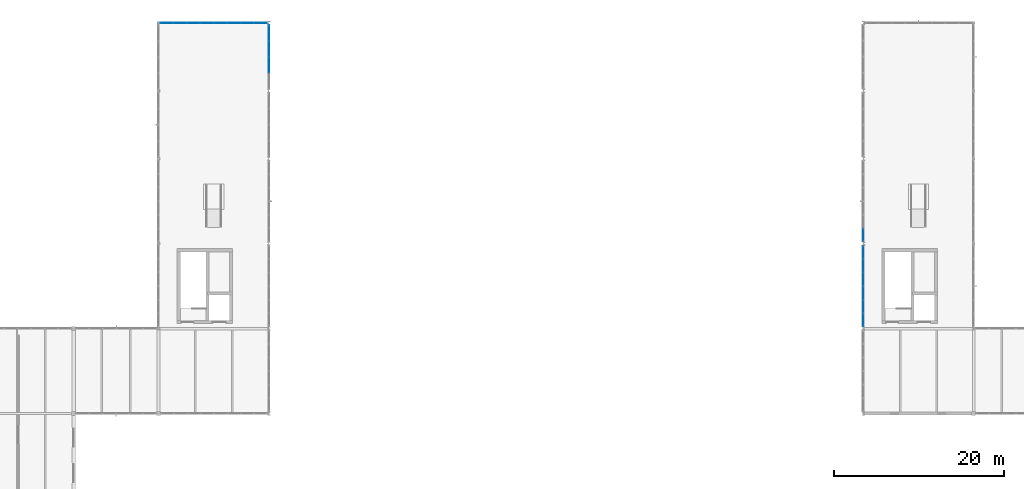
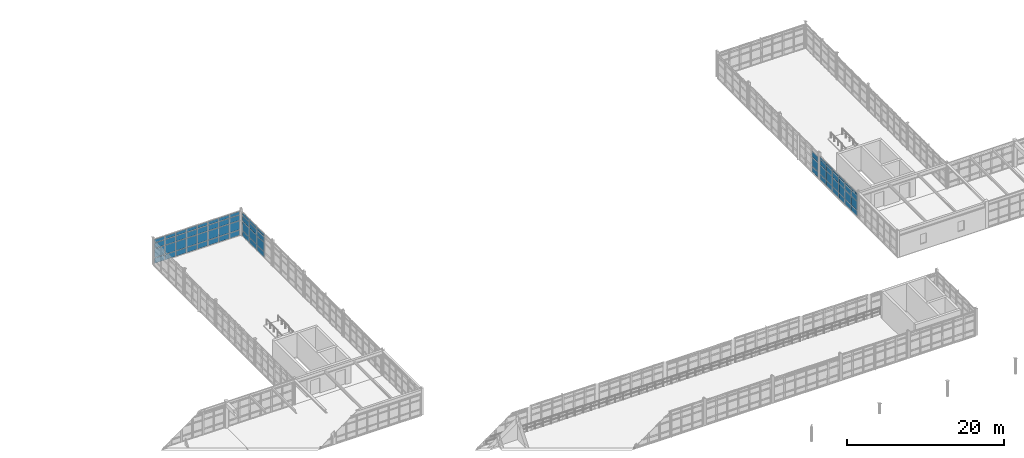
# One storey, part 87 of 122: 71 plates, 4 elements without a shape of their own.
"""IFC4 building model written with IfcOpenShell, lengths in metres."""

from ifc_helpers import new_model, si_unit, direction, frame, origin, origin_2d, place, context, subcontext, project, spatial, rectangle, extrude, material, layer, layer_set, type_object, element, aggregate, save


model = new_model("IFC4")

# Units and contexts
model_context = context("Model", 3, precision=1e-05, world=origin(), true_north=direction((0.0, 1.0)))
body_context = subcontext(model_context, "Body", "Model", "MODEL_VIEW")
ifc_project = project(units=[si_unit("LENGTHUNIT", "METRE"), si_unit("AREAUNIT", "SQUARE_METRE"), si_unit("VOLUMEUNIT", "CUBIC_METRE"), si_unit("PLANEANGLEUNIT", "RADIAN"), si_unit("MASSUNIT", "GRAM", prefix="KILO"), si_unit("THERMODYNAMICTEMPERATUREUNIT", "KELVIN"), si_unit("POWERUNIT", "WATT")], contexts=[model_context])

# Site, building, storey
site_placement = place(None, origin())
site = spatial("IfcSite", under=ifc_project, at=site_placement, CompositionType="ELEMENT")
building_placement = place(site_placement, origin())
building = spatial("IfcBuilding", under=site, at=building_placement, Name="Korenveer Ferry Terminal", CompositionType="ELEMENT")
storey_placement = place(building_placement, frame((0.0, 0.0, 10.199951171875)))
storey = spatial("IfcBuildingStorey", under=building, at=storey_placement, Name="L02", CompositionType="ELEMENT", Elevation=10.199951171875)

# Curtain wall, plates
ifc_material_1 = material(Name="Unitised bronze-and-glass curtain wall", Category="glass")
ifc_layer_1 = layer(ifc_material_1, 0.219970703125)
ifc_layer_set_1 = layer_set([ifc_layer_1], Name="Unitised bronze-and-glass curtain wall")
curtain_wall_type_1 = type_object("IfcCurtainWallType", Name="ENV-CW-102", PredefinedType="USERDEFINED", material=ifc_layer_set_1)
curtain_wall_1_placement = place(storey_placement, frame((40.16650390625, 116.0, 0.0)))
curtain_wall_1 = element("IfcCurtainWall", 1, at=curtain_wall_1_placement, inside=storey, type_object=curtain_wall_type_1, Name="Lancet curtain wall CWX-L02-X40-53-Y116-116", ObjectType="UNITISED CURTAIN WALL", PredefinedType="USERDEFINED")
ifc_material_2 = material(Name="Acoustic laminated marine glazing", Category="glass")
ifc_layer_2 = layer(ifc_material_2, 0.035888671875)
ifc_layer_set_2 = layer_set([ifc_layer_2], Name="Acoustic laminated marine glazing")
plate_type = type_object("IfcPlateType", Name="ENV-CWP-GLZ36", PredefinedType="CURTAIN_PANEL", material=ifc_layer_set_2)
plate_1_placement = place(storey_placement, frame((40.97607421875, 116.0, 0.074951171875), z_axis=(0.0, 0.0, 1.0), x_axis=(1.0, 0.0, 0.0)))
plate_1 = element("IfcPlate", 2, at=plate_1_placement, type_object=plate_type, Name="CW-102 panel 1.1", PredefinedType="CURTAIN_PANEL", context=body_context, shape_type="SweptSolid", body=[
    extrude(rectangle(XDim=1.46923828125, YDim=0.035888671875, at=origin_2d()), origin(), (0.0, 0.0, 1.0), 0.78759765625),
])
plate_2_placement = place(storey_placement, frame((40.97607421875, 116.0, 0.9375), z_axis=(0.0, 0.0, 1.0), x_axis=(1.0, 0.0, 0.0)))
plate_2 = element("IfcPlate", 3, at=plate_2_placement, type_object=plate_type, Name="CW-102 panel 1.2", PredefinedType="CURTAIN_PANEL", context=body_context, shape_type="SweptSolid", body=[
    extrude(rectangle(XDim=1.46923828125, YDim=0.035888671875, at=origin_2d()), origin(), (0.0, 0.0, 1.0), 1.375),
])
plate_3_placement = place(storey_placement, frame((40.97607421875, 116.0, 2.3876953125), z_axis=(0.0, 0.0, 1.0), x_axis=(1.0, 0.0, 0.0)))
plate_3 = element("IfcPlate", 4, at=plate_3_placement, type_object=plate_type, Name="CW-102 panel 1.3", PredefinedType="CURTAIN_PANEL", context=body_context, shape_type="SweptSolid", body=[
    extrude(rectangle(XDim=1.46923828125, YDim=0.035888671875, at=origin_2d()), origin(), (0.0, 0.0, 1.0), 0.824951171875),
])
plate_4_placement = place(storey_placement, frame((40.97607421875, 116.0, 3.28759765625), z_axis=(0.0, 0.0, 1.0), x_axis=(1.0, 0.0, 0.0)))
plate_4 = element("IfcPlate", 5, at=plate_4_placement, type_object=plate_type, Name="CW-102 panel 1.4", PredefinedType="CURTAIN_PANEL", context=body_context, shape_type="SweptSolid", body=[
    extrude(rectangle(XDim=1.46923828125, YDim=0.035888671875, at=origin_2d()), origin(), (0.0, 0.0, 1.0), 0.49755859375),
])
plate_5_placement = place(storey_placement, frame((42.5390625, 116.0, 0.074951171875), z_axis=(0.0, 0.0, 1.0), x_axis=(1.0, 0.0, 0.0)))
plate_5 = element("IfcPlate", 6, at=plate_5_placement, type_object=plate_type, Name="CW-102 panel 2.1", PredefinedType="CURTAIN_PANEL", context=body_context, shape_type="SweptSolid", body=[
    extrude(rectangle(XDim=1.506591796875, YDim=0.035888671875, at=origin_2d()), origin(), (0.0, 0.0, 1.0), 0.78759765625),
])
plate_6_placement = place(storey_placement, frame((42.5390625, 116.0, 0.9375), z_axis=(0.0, 0.0, 1.0), x_axis=(1.0, 0.0, 0.0)))
plate_6 = element("IfcPlate", 7, at=plate_6_placement, type_object=plate_type, Name="CW-102 panel 2.2", PredefinedType="CURTAIN_PANEL", context=body_context, shape_type="SweptSolid", body=[
    extrude(rectangle(XDim=1.506591796875, YDim=0.035888671875, at=origin_2d()), origin(), (0.0, 0.0, 1.0), 1.375),
])
plate_7_placement = place(storey_placement, frame((42.5390625, 116.0, 2.3876953125), z_axis=(0.0, 0.0, 1.0), x_axis=(1.0, 0.0, 0.0)))
plate_7 = element("IfcPlate", 8, at=plate_7_placement, type_object=plate_type, Name="CW-102 panel 2.3", PredefinedType="CURTAIN_PANEL", context=body_context, shape_type="SweptSolid", body=[
    extrude(rectangle(XDim=1.506591796875, YDim=0.035888671875, at=origin_2d()), origin(), (0.0, 0.0, 1.0), 0.824951171875),
])
plate_8_placement = place(storey_placement, frame((42.5390625, 116.0, 3.28759765625), z_axis=(0.0, 0.0, 1.0), x_axis=(1.0, 0.0, 0.0)))
plate_8 = element("IfcPlate", 9, at=plate_8_placement, type_object=plate_type, Name="CW-102 panel 2.4", PredefinedType="CURTAIN_PANEL", context=body_context, shape_type="SweptSolid", body=[
    extrude(rectangle(XDim=1.506591796875, YDim=0.035888671875, at=origin_2d()), origin(), (0.0, 0.0, 1.0), 0.49755859375),
])
plate_9_placement = place(storey_placement, frame((44.12060546875, 116.0, 0.074951171875), z_axis=(0.0, 0.0, 1.0), x_axis=(1.0, 0.0, 0.0)))
plate_9 = element("IfcPlate", 10, at=plate_9_placement, type_object=plate_type, Name="CW-102 panel 3.1", PredefinedType="CURTAIN_PANEL", context=body_context, shape_type="SweptSolid", body=[
    extrude(rectangle(XDim=1.506591796875, YDim=0.035888671875, at=origin_2d()), origin(), (0.0, 0.0, 1.0), 0.78759765625),
])
plate_10_placement = place(storey_placement, frame((44.12060546875, 116.0, 0.9375), z_axis=(0.0, 0.0, 1.0), x_axis=(1.0, 0.0, 0.0)))
plate_10 = element("IfcPlate", 11, at=plate_10_placement, type_object=plate_type, Name="CW-102 panel 3.2", PredefinedType="CURTAIN_PANEL", context=body_context, shape_type="SweptSolid", body=[
    extrude(rectangle(XDim=1.506591796875, YDim=0.035888671875, at=origin_2d()), origin(), (0.0, 0.0, 1.0), 1.375),
])
plate_11_placement = place(storey_placement, frame((44.12060546875, 116.0, 2.3876953125), z_axis=(0.0, 0.0, 1.0), x_axis=(1.0, 0.0, 0.0)))
plate_11 = element("IfcPlate", 12, at=plate_11_placement, type_object=plate_type, Name="CW-102 panel 3.3", PredefinedType="CURTAIN_PANEL", context=body_context, shape_type="SweptSolid", body=[
    extrude(rectangle(XDim=1.506591796875, YDim=0.035888671875, at=origin_2d()), origin(), (0.0, 0.0, 1.0), 0.824951171875),
])
plate_12_placement = place(storey_placement, frame((44.12060546875, 116.0, 3.28759765625), z_axis=(0.0, 0.0, 1.0), x_axis=(1.0, 0.0, 0.0)))
plate_12 = element("IfcPlate", 13, at=plate_12_placement, type_object=plate_type, Name="CW-102 panel 3.4", PredefinedType="CURTAIN_PANEL", context=body_context, shape_type="SweptSolid", body=[
    extrude(rectangle(XDim=1.506591796875, YDim=0.035888671875, at=origin_2d()), origin(), (0.0, 0.0, 1.0), 0.49755859375),
])
plate_13_placement = place(storey_placement, frame((45.702392578125, 116.0, 0.074951171875), z_axis=(0.0, 0.0, 1.0), x_axis=(1.0, 0.0, 0.0)))
plate_13 = element("IfcPlate", 14, at=plate_13_placement, type_object=plate_type, Name="CW-102 panel 4.1", PredefinedType="CURTAIN_PANEL", context=body_context, shape_type="SweptSolid", body=[
    extrude(rectangle(XDim=1.506591796875, YDim=0.035888671875, at=origin_2d()), origin(), (0.0, 0.0, 1.0), 0.78759765625),
])
plate_14_placement = place(storey_placement, frame((45.702392578125, 116.0, 0.9375), z_axis=(0.0, 0.0, 1.0), x_axis=(1.0, 0.0, 0.0)))
plate_14 = element("IfcPlate", 15, at=plate_14_placement, type_object=plate_type, Name="CW-102 panel 4.2", PredefinedType="CURTAIN_PANEL", context=body_context, shape_type="SweptSolid", body=[
    extrude(rectangle(XDim=1.506591796875, YDim=0.035888671875, at=origin_2d()), origin(), (0.0, 0.0, 1.0), 1.375),
])
plate_15_placement = place(storey_placement, frame((45.702392578125, 116.0, 2.3876953125), z_axis=(0.0, 0.0, 1.0), x_axis=(1.0, 0.0, 0.0)))
plate_15 = element("IfcPlate", 16, at=plate_15_placement, type_object=plate_type, Name="CW-102 panel 4.3", PredefinedType="CURTAIN_PANEL", context=body_context, shape_type="SweptSolid", body=[
    extrude(rectangle(XDim=1.506591796875, YDim=0.035888671875, at=origin_2d()), origin(), (0.0, 0.0, 1.0), 0.824951171875),
])
plate_16_placement = place(storey_placement, frame((45.702392578125, 116.0, 3.28759765625), z_axis=(0.0, 0.0, 1.0), x_axis=(1.0, 0.0, 0.0)))
plate_16 = element("IfcPlate", 17, at=plate_16_placement, type_object=plate_type, Name="CW-102 panel 4.4", PredefinedType="CURTAIN_PANEL", context=body_context, shape_type="SweptSolid", body=[
    extrude(rectangle(XDim=1.506591796875, YDim=0.035888671875, at=origin_2d()), origin(), (0.0, 0.0, 1.0), 0.49755859375),
])
plate_17_placement = place(storey_placement, frame((47.2841796875, 116.0, 0.074951171875), z_axis=(0.0, 0.0, 1.0), x_axis=(1.0, 0.0, 0.0)))
plate_17 = element("IfcPlate", 18, at=plate_17_placement, type_object=plate_type, Name="CW-102 panel 5.1", PredefinedType="CURTAIN_PANEL", context=body_context, shape_type="SweptSolid", body=[
    extrude(rectangle(XDim=1.506591796875, YDim=0.035888671875, at=origin_2d()), origin(), (0.0, 0.0, 1.0), 0.78759765625),
])
plate_18_placement = place(storey_placement, frame((47.2841796875, 116.0, 0.9375), z_axis=(0.0, 0.0, 1.0), x_axis=(1.0, 0.0, 0.0)))
plate_18 = element("IfcPlate", 19, at=plate_18_placement, type_object=plate_type, Name="CW-102 panel 5.2", PredefinedType="CURTAIN_PANEL", context=body_context, shape_type="SweptSolid", body=[
    extrude(rectangle(XDim=1.506591796875, YDim=0.035888671875, at=origin_2d()), origin(), (0.0, 0.0, 1.0), 1.375),
])
plate_19_placement = place(storey_placement, frame((47.2841796875, 116.0, 2.3876953125), z_axis=(0.0, 0.0, 1.0), x_axis=(1.0, 0.0, 0.0)))
plate_19 = element("IfcPlate", 20, at=plate_19_placement, type_object=plate_type, Name="CW-102 panel 5.3", PredefinedType="CURTAIN_PANEL", context=body_context, shape_type="SweptSolid", body=[
    extrude(rectangle(XDim=1.506591796875, YDim=0.035888671875, at=origin_2d()), origin(), (0.0, 0.0, 1.0), 0.824951171875),
])
plate_20_placement = place(storey_placement, frame((47.2841796875, 116.0, 3.28759765625), z_axis=(0.0, 0.0, 1.0), x_axis=(1.0, 0.0, 0.0)))
plate_20 = element("IfcPlate", 21, at=plate_20_placement, type_object=plate_type, Name="CW-102 panel 5.4", PredefinedType="CURTAIN_PANEL", context=body_context, shape_type="SweptSolid", body=[
    extrude(rectangle(XDim=1.506591796875, YDim=0.035888671875, at=origin_2d()), origin(), (0.0, 0.0, 1.0), 0.49755859375),
])
plate_21_placement = place(storey_placement, frame((48.86572265625, 116.0, 0.074951171875), z_axis=(0.0, 0.0, 1.0), x_axis=(1.0, 0.0, 0.0)))
plate_21 = element("IfcPlate", 22, at=plate_21_placement, type_object=plate_type, Name="CW-102 panel 6.1", PredefinedType="CURTAIN_PANEL", context=body_context, shape_type="SweptSolid", body=[
    extrude(rectangle(XDim=1.506591796875, YDim=0.035888671875, at=origin_2d()), origin(), (0.0, 0.0, 1.0), 0.78759765625),
])
plate_22_placement = place(storey_placement, frame((48.86572265625, 116.0, 0.9375), z_axis=(0.0, 0.0, 1.0), x_axis=(1.0, 0.0, 0.0)))
plate_22 = element("IfcPlate", 23, at=plate_22_placement, type_object=plate_type, Name="CW-102 panel 6.2", PredefinedType="CURTAIN_PANEL", context=body_context, shape_type="SweptSolid", body=[
    extrude(rectangle(XDim=1.506591796875, YDim=0.035888671875, at=origin_2d()), origin(), (0.0, 0.0, 1.0), 1.375),
])
plate_23_placement = place(storey_placement, frame((48.86572265625, 116.0, 2.3876953125), z_axis=(0.0, 0.0, 1.0), x_axis=(1.0, 0.0, 0.0)))
plate_23 = element("IfcPlate", 24, at=plate_23_placement, type_object=plate_type, Name="CW-102 panel 6.3", PredefinedType="CURTAIN_PANEL", context=body_context, shape_type="SweptSolid", body=[
    extrude(rectangle(XDim=1.506591796875, YDim=0.035888671875, at=origin_2d()), origin(), (0.0, 0.0, 1.0), 0.824951171875),
])
plate_24_placement = place(storey_placement, frame((48.86572265625, 116.0, 3.28759765625), z_axis=(0.0, 0.0, 1.0), x_axis=(1.0, 0.0, 0.0)))
plate_24 = element("IfcPlate", 25, at=plate_24_placement, type_object=plate_type, Name="CW-102 panel 6.4", PredefinedType="CURTAIN_PANEL", context=body_context, shape_type="SweptSolid", body=[
    extrude(rectangle(XDim=1.506591796875, YDim=0.035888671875, at=origin_2d()), origin(), (0.0, 0.0, 1.0), 0.49755859375),
])
plate_25_placement = place(storey_placement, frame((50.447509765625, 116.0, 0.074951171875), z_axis=(0.0, 0.0, 1.0), x_axis=(1.0, 0.0, 0.0)))
plate_25 = element("IfcPlate", 26, at=plate_25_placement, type_object=plate_type, Name="CW-102 panel 7.1", PredefinedType="CURTAIN_PANEL", context=body_context, shape_type="SweptSolid", body=[
    extrude(rectangle(XDim=1.506591796875, YDim=0.035888671875, at=origin_2d()), origin(), (0.0, 0.0, 1.0), 0.78759765625),
])
plate_26_placement = place(storey_placement, frame((50.447509765625, 116.0, 0.9375), z_axis=(0.0, 0.0, 1.0), x_axis=(1.0, 0.0, 0.0)))
plate_26 = element("IfcPlate", 27, at=plate_26_placement, type_object=plate_type, Name="CW-102 panel 7.2", PredefinedType="CURTAIN_PANEL", context=body_context, shape_type="SweptSolid", body=[
    extrude(rectangle(XDim=1.506591796875, YDim=0.035888671875, at=origin_2d()), origin(), (0.0, 0.0, 1.0), 1.375),
])
plate_27_placement = place(storey_placement, frame((50.447509765625, 116.0, 2.3876953125), z_axis=(0.0, 0.0, 1.0), x_axis=(1.0, 0.0, 0.0)))
plate_27 = element("IfcPlate", 28, at=plate_27_placement, type_object=plate_type, Name="CW-102 panel 7.3", PredefinedType="CURTAIN_PANEL", context=body_context, shape_type="SweptSolid", body=[
    extrude(rectangle(XDim=1.506591796875, YDim=0.035888671875, at=origin_2d()), origin(), (0.0, 0.0, 1.0), 0.824951171875),
])
plate_28_placement = place(storey_placement, frame((50.447509765625, 116.0, 3.28759765625), z_axis=(0.0, 0.0, 1.0), x_axis=(1.0, 0.0, 0.0)))
plate_28 = element("IfcPlate", 29, at=plate_28_placement, type_object=plate_type, Name="CW-102 panel 7.4", PredefinedType="CURTAIN_PANEL", context=body_context, shape_type="SweptSolid", body=[
    extrude(rectangle(XDim=1.506591796875, YDim=0.035888671875, at=origin_2d()), origin(), (0.0, 0.0, 1.0), 0.49755859375),
])
plate_29_placement = place(storey_placement, frame((52.010498046875, 116.0, 0.074951171875), z_axis=(0.0, 0.0, 1.0), x_axis=(1.0, 0.0, 0.0)))
plate_29 = element("IfcPlate", 30, at=plate_29_placement, type_object=plate_type, Name="CW-102 panel 8.1", PredefinedType="CURTAIN_PANEL", context=body_context, shape_type="SweptSolid", body=[
    extrude(rectangle(XDim=1.46923828125, YDim=0.035888671875, at=origin_2d()), origin(), (0.0, 0.0, 1.0), 0.78759765625),
])
plate_30_placement = place(storey_placement, frame((52.010498046875, 116.0, 0.9375), z_axis=(0.0, 0.0, 1.0), x_axis=(1.0, 0.0, 0.0)))
plate_30 = element("IfcPlate", 31, at=plate_30_placement, type_object=plate_type, Name="CW-102 panel 8.2", PredefinedType="CURTAIN_PANEL", context=body_context, shape_type="SweptSolid", body=[
    extrude(rectangle(XDim=1.46923828125, YDim=0.035888671875, at=origin_2d()), origin(), (0.0, 0.0, 1.0), 1.375),
])
plate_31_placement = place(storey_placement, frame((52.010498046875, 116.0, 2.3876953125), z_axis=(0.0, 0.0, 1.0), x_axis=(1.0, 0.0, 0.0)))
plate_31 = element("IfcPlate", 32, at=plate_31_placement, type_object=plate_type, Name="CW-102 panel 8.3", PredefinedType="CURTAIN_PANEL", context=body_context, shape_type="SweptSolid", body=[
    extrude(rectangle(XDim=1.46923828125, YDim=0.035888671875, at=origin_2d()), origin(), (0.0, 0.0, 1.0), 0.824951171875),
])
plate_32_placement = place(storey_placement, frame((52.010498046875, 116.0, 3.28759765625), z_axis=(0.0, 0.0, 1.0), x_axis=(1.0, 0.0, 0.0)))
plate_32 = element("IfcPlate", 33, at=plate_32_placement, type_object=plate_type, Name="CW-102 panel 8.4", PredefinedType="CURTAIN_PANEL", context=body_context, shape_type="SweptSolid", body=[
    extrude(rectangle(XDim=1.46923828125, YDim=0.035888671875, at=origin_2d()), origin(), (0.0, 0.0, 1.0), 0.49755859375),
])
aggregate(curtain_wall_1, [plate_1, plate_2, plate_3, plate_4, plate_5, plate_6, plate_7, plate_8, plate_9, plate_10, plate_11, plate_12, plate_13, plate_14, plate_15, plate_16, plate_17, plate_18, plate_19, plate_20, plate_21, plate_22, plate_23, plate_24, plate_25, plate_26, plate_27, plate_28, plate_29, plate_30, plate_31, plate_32])

ifc_layer_3 = layer(ifc_material_1, 0.219970703125)
ifc_layer_set_3 = layer_set([ifc_layer_3], Name="Unitised bronze-and-glass curtain wall")
curtain_wall_type_2 = type_object("IfcCurtainWallType", Name="ENV-CW-119", PredefinedType="USERDEFINED", material=ifc_layer_set_3)
curtain_wall_2_placement = place(storey_placement, frame((53.0, 115.7900390625, 0.0)))
curtain_wall_2 = element("IfcCurtainWall", 34, at=curtain_wall_2_placement, inside=storey, type_object=curtain_wall_type_2, Name="Lancet curtain wall CWX-L02-X53-53-Y108-116", ObjectType="UNITISED CURTAIN WALL", PredefinedType="USERDEFINED")
plate_33_placement = place(storey_placement, frame((53.0, 114.82373046875, 0.074951171875), z_axis=(0.0, 0.0, 1.0), x_axis=(0.0, -1.0, 0.0)))
plate_33 = element("IfcPlate", 35, at=plate_33_placement, type_object=plate_type, Name="CW-119 panel 1.1", PredefinedType="CURTAIN_PANEL", context=body_context, shape_type="SweptSolid", body=[
    extrude(rectangle(XDim=1.782470703125, YDim=0.035888671875, at=origin_2d()), origin(), (0.0, 0.0, 1.0), 0.78759765625),
])
plate_34_placement = place(storey_placement, frame((53.0, 114.82373046875, 0.9375), z_axis=(0.0, 0.0, 1.0), x_axis=(0.0, -1.0, 0.0)))
plate_34 = element("IfcPlate", 36, at=plate_34_placement, type_object=plate_type, Name="CW-119 panel 1.2", PredefinedType="CURTAIN_PANEL", context=body_context, shape_type="SweptSolid", body=[
    extrude(rectangle(XDim=1.782470703125, YDim=0.035888671875, at=origin_2d()), origin(), (0.0, 0.0, 1.0), 1.375),
])
plate_35_placement = place(storey_placement, frame((53.0, 114.82373046875, 2.3876953125), z_axis=(0.0, 0.0, 1.0), x_axis=(0.0, -1.0, 0.0)))
plate_35 = element("IfcPlate", 37, at=plate_35_placement, type_object=plate_type, Name="CW-119 panel 1.3", PredefinedType="CURTAIN_PANEL", context=body_context, shape_type="SweptSolid", body=[
    extrude(rectangle(XDim=1.782470703125, YDim=0.035888671875, at=origin_2d()), origin(), (0.0, 0.0, 1.0), 0.824951171875),
])
plate_36_placement = place(storey_placement, frame((53.0, 114.82373046875, 3.28759765625), z_axis=(0.0, 0.0, 1.0), x_axis=(0.0, -1.0, 0.0)))
plate_36 = element("IfcPlate", 38, at=plate_36_placement, type_object=plate_type, Name="CW-119 panel 1.4", PredefinedType="CURTAIN_PANEL", context=body_context, shape_type="SweptSolid", body=[
    extrude(rectangle(XDim=1.782470703125, YDim=0.035888671875, at=origin_2d()), origin(), (0.0, 0.0, 1.0), 0.3974609375),
])
plate_37_placement = place(storey_placement, frame((53.0, 112.947509765625, 0.074951171875), z_axis=(0.0, 0.0, 1.0), x_axis=(0.0, -1.0, 0.0)))
plate_37 = element("IfcPlate", 39, at=plate_37_placement, type_object=plate_type, Name="CW-119 panel 2.1", PredefinedType="CURTAIN_PANEL", context=body_context, shape_type="SweptSolid", body=[
    extrude(rectangle(XDim=1.820068359375, YDim=0.035888671875, at=origin_2d()), origin(), (0.0, 0.0, 1.0), 0.78759765625),
])
plate_38_placement = place(storey_placement, frame((53.0, 112.947509765625, 0.9375), z_axis=(0.0, 0.0, 1.0), x_axis=(0.0, -1.0, 0.0)))
plate_38 = element("IfcPlate", 40, at=plate_38_placement, type_object=plate_type, Name="CW-119 panel 2.2", PredefinedType="CURTAIN_PANEL", context=body_context, shape_type="SweptSolid", body=[
    extrude(rectangle(XDim=1.820068359375, YDim=0.035888671875, at=origin_2d()), origin(), (0.0, 0.0, 1.0), 1.375),
])
plate_39_placement = place(storey_placement, frame((53.0, 112.947509765625, 2.3876953125), z_axis=(0.0, 0.0, 1.0), x_axis=(0.0, -1.0, 0.0)))
plate_39 = element("IfcPlate", 41, at=plate_39_placement, type_object=plate_type, Name="CW-119 panel 2.3", PredefinedType="CURTAIN_PANEL", context=body_context, shape_type="SweptSolid", body=[
    extrude(rectangle(XDim=1.820068359375, YDim=0.035888671875, at=origin_2d()), origin(), (0.0, 0.0, 1.0), 0.824951171875),
])
plate_40_placement = place(storey_placement, frame((53.0, 112.947509765625, 3.28759765625), z_axis=(0.0, 0.0, 1.0), x_axis=(0.0, -1.0, 0.0)))
plate_40 = element("IfcPlate", 42, at=plate_40_placement, type_object=plate_type, Name="CW-119 panel 2.4", PredefinedType="CURTAIN_PANEL", context=body_context, shape_type="SweptSolid", body=[
    extrude(rectangle(XDim=1.820068359375, YDim=0.035888671875, at=origin_2d()), origin(), (0.0, 0.0, 1.0), 0.3974609375),
])
plate_41_placement = place(storey_placement, frame((53.0, 111.052490234375, 0.074951171875), z_axis=(0.0, 0.0, 1.0), x_axis=(0.0, -1.0, 0.0)))
plate_41 = element("IfcPlate", 43, at=plate_41_placement, type_object=plate_type, Name="CW-119 panel 3.1", PredefinedType="CURTAIN_PANEL", context=body_context, shape_type="SweptSolid", body=[
    extrude(rectangle(XDim=1.820068359375, YDim=0.035888671875, at=origin_2d()), origin(), (0.0, 0.0, 1.0), 0.78759765625),
])
plate_42_placement = place(storey_placement, frame((53.0, 111.052490234375, 0.9375), z_axis=(0.0, 0.0, 1.0), x_axis=(0.0, -1.0, 0.0)))
plate_42 = element("IfcPlate", 44, at=plate_42_placement, type_object=plate_type, Name="CW-119 panel 3.2", PredefinedType="CURTAIN_PANEL", context=body_context, shape_type="SweptSolid", body=[
    extrude(rectangle(XDim=1.820068359375, YDim=0.035888671875, at=origin_2d()), origin(), (0.0, 0.0, 1.0), 1.375),
])
plate_43_placement = place(storey_placement, frame((53.0, 111.052490234375, 2.3876953125), z_axis=(0.0, 0.0, 1.0), x_axis=(0.0, -1.0, 0.0)))
plate_43 = element("IfcPlate", 45, at=plate_43_placement, type_object=plate_type, Name="CW-119 panel 3.3", PredefinedType="CURTAIN_PANEL", context=body_context, shape_type="SweptSolid", body=[
    extrude(rectangle(XDim=1.820068359375, YDim=0.035888671875, at=origin_2d()), origin(), (0.0, 0.0, 1.0), 0.824951171875),
])
plate_44_placement = place(storey_placement, frame((53.0, 111.052490234375, 3.28759765625), z_axis=(0.0, 0.0, 1.0), x_axis=(0.0, -1.0, 0.0)))
plate_44 = element("IfcPlate", 46, at=plate_44_placement, type_object=plate_type, Name="CW-119 panel 3.4", PredefinedType="CURTAIN_PANEL", context=body_context, shape_type="SweptSolid", body=[
    extrude(rectangle(XDim=1.820068359375, YDim=0.035888671875, at=origin_2d()), origin(), (0.0, 0.0, 1.0), 0.3974609375),
])
aggregate(curtain_wall_2, [plate_33, plate_34, plate_35, plate_36, plate_37, plate_38, plate_39, plate_40, plate_41, plate_42, plate_43, plate_44])

ifc_layer_4 = layer(ifc_material_1, 0.219970703125)
ifc_layer_set_4 = layer_set([ifc_layer_4], Name="Unitised bronze-and-glass curtain wall")
curtain_wall_type_3 = type_object("IfcCurtainWallType", Name="ENV-CW-115", PredefinedType="USERDEFINED", material=ifc_layer_set_4)
curtain_wall_3_placement = place(storey_placement, frame((123.0, 80.2099609375, 0.0)))
curtain_wall_3 = element("IfcCurtainWall", 47, at=curtain_wall_3_placement, inside=storey, type_object=curtain_wall_type_3, Name="Lancet curtain wall CWX-L02-X123-123-Y80-90", ObjectType="UNITISED CURTAIN WALL", PredefinedType="USERDEFINED")
plate_45_placement = place(storey_placement, frame((123.0, 81.027099609375, 0.074951171875), z_axis=(0.0, 0.0, 1.0), x_axis=(0.0, 1.0, 0.0)))
plate_45 = element("IfcPlate", 48, at=plate_45_placement, type_object=plate_type, Name="CW-115 panel 1.1", PredefinedType="CURTAIN_PANEL", context=body_context, shape_type="SweptSolid", body=[
    extrude(rectangle(XDim=1.484130859375, YDim=0.035888671875, at=origin_2d()), origin(), (0.0, 0.0, 1.0), 0.78759765625),
])
plate_46_placement = place(storey_placement, frame((123.0, 81.027099609375, 0.9375), z_axis=(0.0, 0.0, 1.0), x_axis=(0.0, 1.0, 0.0)))
plate_46 = element("IfcPlate", 49, at=plate_46_placement, type_object=plate_type, Name="CW-115 panel 1.2", PredefinedType="CURTAIN_PANEL", context=body_context, shape_type="SweptSolid", body=[
    extrude(rectangle(XDim=1.484130859375, YDim=0.035888671875, at=origin_2d()), origin(), (0.0, 0.0, 1.0), 1.375),
])
plate_47_placement = place(storey_placement, frame((123.0, 81.027099609375, 2.3876953125), z_axis=(0.0, 0.0, 1.0), x_axis=(0.0, 1.0, 0.0)))
plate_47 = element("IfcPlate", 50, at=plate_47_placement, type_object=plate_type, Name="CW-115 panel 1.3", PredefinedType="CURTAIN_PANEL", context=body_context, shape_type="SweptSolid", body=[
    extrude(rectangle(XDim=1.484130859375, YDim=0.035888671875, at=origin_2d()), origin(), (0.0, 0.0, 1.0), 0.824951171875),
])
plate_48_placement = place(storey_placement, frame((123.0, 81.027099609375, 3.28759765625), z_axis=(0.0, 0.0, 1.0), x_axis=(0.0, 1.0, 0.0)))
plate_48 = element("IfcPlate", 51, at=plate_48_placement, type_object=plate_type, Name="CW-115 panel 1.4", PredefinedType="CURTAIN_PANEL", context=body_context, shape_type="SweptSolid", body=[
    extrude(rectangle(XDim=1.484130859375, YDim=0.035888671875, at=origin_2d()), origin(), (0.0, 0.0, 1.0), 0.297607421875),
])
plate_49_placement = place(storey_placement, frame((123.0, 82.60498046875, 0.074951171875), z_axis=(0.0, 0.0, 1.0), x_axis=(0.0, 1.0, 0.0)))
plate_49 = element("IfcPlate", 52, at=plate_49_placement, type_object=plate_type, Name="CW-115 panel 2.1", PredefinedType="CURTAIN_PANEL", context=body_context, shape_type="SweptSolid", body=[
    extrude(rectangle(XDim=1.521728515625, YDim=0.035888671875, at=origin_2d()), origin(), (0.0, 0.0, 1.0), 0.78759765625),
])
plate_50_placement = place(storey_placement, frame((123.0, 82.60498046875, 0.9375), z_axis=(0.0, 0.0, 1.0), x_axis=(0.0, 1.0, 0.0)))
plate_50 = element("IfcPlate", 53, at=plate_50_placement, type_object=plate_type, Name="CW-115 panel 2.2", PredefinedType="CURTAIN_PANEL", context=body_context, shape_type="SweptSolid", body=[
    extrude(rectangle(XDim=1.521728515625, YDim=0.035888671875, at=origin_2d()), origin(), (0.0, 0.0, 1.0), 1.375),
])
plate_51_placement = place(storey_placement, frame((123.0, 82.60498046875, 2.3876953125), z_axis=(0.0, 0.0, 1.0), x_axis=(0.0, 1.0, 0.0)))
plate_51 = element("IfcPlate", 54, at=plate_51_placement, type_object=plate_type, Name="CW-115 panel 2.3", PredefinedType="CURTAIN_PANEL", context=body_context, shape_type="SweptSolid", body=[
    extrude(rectangle(XDim=1.521728515625, YDim=0.035888671875, at=origin_2d()), origin(), (0.0, 0.0, 1.0), 0.824951171875),
])
plate_52_placement = place(storey_placement, frame((123.0, 82.60498046875, 3.28759765625), z_axis=(0.0, 0.0, 1.0), x_axis=(0.0, 1.0, 0.0)))
plate_52 = element("IfcPlate", 55, at=plate_52_placement, type_object=plate_type, Name="CW-115 panel 2.4", PredefinedType="CURTAIN_PANEL", context=body_context, shape_type="SweptSolid", body=[
    extrude(rectangle(XDim=1.521728515625, YDim=0.035888671875, at=origin_2d()), origin(), (0.0, 0.0, 1.0), 0.297607421875),
])
plate_53_placement = place(storey_placement, frame((123.0, 84.20166015625, 0.074951171875), z_axis=(0.0, 0.0, 1.0), x_axis=(0.0, 1.0, 0.0)))
plate_53 = element("IfcPlate", 56, at=plate_53_placement, type_object=plate_type, Name="CW-115 panel 3.1", PredefinedType="CURTAIN_PANEL", context=body_context, shape_type="SweptSolid", body=[
    extrude(rectangle(XDim=1.521728515625, YDim=0.035888671875, at=origin_2d()), origin(), (0.0, 0.0, 1.0), 0.78759765625),
])
plate_54_placement = place(storey_placement, frame((123.0, 84.20166015625, 0.9375), z_axis=(0.0, 0.0, 1.0), x_axis=(0.0, 1.0, 0.0)))
plate_54 = element("IfcPlate", 57, at=plate_54_placement, type_object=plate_type, Name="CW-115 panel 3.2", PredefinedType="CURTAIN_PANEL", context=body_context, shape_type="SweptSolid", body=[
    extrude(rectangle(XDim=1.521728515625, YDim=0.035888671875, at=origin_2d()), origin(), (0.0, 0.0, 1.0), 1.375),
])
plate_55_placement = place(storey_placement, frame((123.0, 84.20166015625, 2.3876953125), z_axis=(0.0, 0.0, 1.0), x_axis=(0.0, 1.0, 0.0)))
plate_55 = element("IfcPlate", 58, at=plate_55_placement, type_object=plate_type, Name="CW-115 panel 3.3", PredefinedType="CURTAIN_PANEL", context=body_context, shape_type="SweptSolid", body=[
    extrude(rectangle(XDim=1.521728515625, YDim=0.035888671875, at=origin_2d()), origin(), (0.0, 0.0, 1.0), 0.824951171875),
])
plate_56_placement = place(storey_placement, frame((123.0, 84.20166015625, 3.28759765625), z_axis=(0.0, 0.0, 1.0), x_axis=(0.0, 1.0, 0.0)))
plate_56 = element("IfcPlate", 59, at=plate_56_placement, type_object=plate_type, Name="CW-115 panel 3.4", PredefinedType="CURTAIN_PANEL", context=body_context, shape_type="SweptSolid", body=[
    extrude(rectangle(XDim=1.521728515625, YDim=0.035888671875, at=origin_2d()), origin(), (0.0, 0.0, 1.0), 0.297607421875),
])
plate_57_placement = place(storey_placement, frame((123.0, 85.79833984375, 0.074951171875), z_axis=(0.0, 0.0, 1.0), x_axis=(0.0, 1.0, 0.0)))
plate_57 = element("IfcPlate", 60, at=plate_57_placement, type_object=plate_type, Name="CW-115 panel 4.1", PredefinedType="CURTAIN_PANEL", context=body_context, shape_type="SweptSolid", body=[
    extrude(rectangle(XDim=1.521728515625, YDim=0.035888671875, at=origin_2d()), origin(), (0.0, 0.0, 1.0), 0.78759765625),
])
plate_58_placement = place(storey_placement, frame((123.0, 85.79833984375, 0.9375), z_axis=(0.0, 0.0, 1.0), x_axis=(0.0, 1.0, 0.0)))
plate_58 = element("IfcPlate", 61, at=plate_58_placement, type_object=plate_type, Name="CW-115 panel 4.2", PredefinedType="CURTAIN_PANEL", context=body_context, shape_type="SweptSolid", body=[
    extrude(rectangle(XDim=1.521728515625, YDim=0.035888671875, at=origin_2d()), origin(), (0.0, 0.0, 1.0), 1.375),
])
plate_59_placement = place(storey_placement, frame((123.0, 85.79833984375, 2.3876953125), z_axis=(0.0, 0.0, 1.0), x_axis=(0.0, 1.0, 0.0)))
plate_59 = element("IfcPlate", 62, at=plate_59_placement, type_object=plate_type, Name="CW-115 panel 4.3", PredefinedType="CURTAIN_PANEL", context=body_context, shape_type="SweptSolid", body=[
    extrude(rectangle(XDim=1.521728515625, YDim=0.035888671875, at=origin_2d()), origin(), (0.0, 0.0, 1.0), 0.824951171875),
])
plate_60_placement = place(storey_placement, frame((123.0, 85.79833984375, 3.28759765625), z_axis=(0.0, 0.0, 1.0), x_axis=(0.0, 1.0, 0.0)))
plate_60 = element("IfcPlate", 63, at=plate_60_placement, type_object=plate_type, Name="CW-115 panel 4.4", PredefinedType="CURTAIN_PANEL", context=body_context, shape_type="SweptSolid", body=[
    extrude(rectangle(XDim=1.521728515625, YDim=0.035888671875, at=origin_2d()), origin(), (0.0, 0.0, 1.0), 0.297607421875),
])
plate_61_placement = place(storey_placement, frame((123.0, 87.39501953125, 0.074951171875), z_axis=(0.0, 0.0, 1.0), x_axis=(0.0, 1.0, 0.0)))
plate_61 = element("IfcPlate", 64, at=plate_61_placement, type_object=plate_type, Name="CW-115 panel 5.1", PredefinedType="CURTAIN_PANEL", context=body_context, shape_type="SweptSolid", body=[
    extrude(rectangle(XDim=1.521728515625, YDim=0.035888671875, at=origin_2d()), origin(), (0.0, 0.0, 1.0), 0.78759765625),
])
plate_62_placement = place(storey_placement, frame((123.0, 87.39501953125, 0.9375), z_axis=(0.0, 0.0, 1.0), x_axis=(0.0, 1.0, 0.0)))
plate_62 = element("IfcPlate", 65, at=plate_62_placement, type_object=plate_type, Name="CW-115 panel 5.2", PredefinedType="CURTAIN_PANEL", context=body_context, shape_type="SweptSolid", body=[
    extrude(rectangle(XDim=1.521728515625, YDim=0.035888671875, at=origin_2d()), origin(), (0.0, 0.0, 1.0), 1.375),
])
plate_63_placement = place(storey_placement, frame((123.0, 87.39501953125, 2.3876953125), z_axis=(0.0, 0.0, 1.0), x_axis=(0.0, 1.0, 0.0)))
plate_63 = element("IfcPlate", 66, at=plate_63_placement, type_object=plate_type, Name="CW-115 panel 5.3", PredefinedType="CURTAIN_PANEL", context=body_context, shape_type="SweptSolid", body=[
    extrude(rectangle(XDim=1.521728515625, YDim=0.035888671875, at=origin_2d()), origin(), (0.0, 0.0, 1.0), 0.824951171875),
])
plate_64_placement = place(storey_placement, frame((123.0, 87.39501953125, 3.28759765625), z_axis=(0.0, 0.0, 1.0), x_axis=(0.0, 1.0, 0.0)))
plate_64 = element("IfcPlate", 67, at=plate_64_placement, type_object=plate_type, Name="CW-115 panel 5.4", PredefinedType="CURTAIN_PANEL", context=body_context, shape_type="SweptSolid", body=[
    extrude(rectangle(XDim=1.521728515625, YDim=0.035888671875, at=origin_2d()), origin(), (0.0, 0.0, 1.0), 0.297607421875),
])
plate_65_placement = place(storey_placement, frame((123.0, 88.972900390625, 0.074951171875), z_axis=(0.0, 0.0, 1.0), x_axis=(0.0, 1.0, 0.0)))
plate_65 = element("IfcPlate", 68, at=plate_65_placement, type_object=plate_type, Name="CW-115 panel 6.1", PredefinedType="CURTAIN_PANEL", context=body_context, shape_type="SweptSolid", body=[
    extrude(rectangle(XDim=1.484130859375, YDim=0.035888671875, at=origin_2d()), origin(), (0.0, 0.0, 1.0), 0.78759765625),
])
plate_66_placement = place(storey_placement, frame((123.0, 88.972900390625, 0.9375), z_axis=(0.0, 0.0, 1.0), x_axis=(0.0, 1.0, 0.0)))
plate_66 = element("IfcPlate", 69, at=plate_66_placement, type_object=plate_type, Name="CW-115 panel 6.2", PredefinedType="CURTAIN_PANEL", context=body_context, shape_type="SweptSolid", body=[
    extrude(rectangle(XDim=1.484130859375, YDim=0.035888671875, at=origin_2d()), origin(), (0.0, 0.0, 1.0), 1.375),
])
plate_67_placement = place(storey_placement, frame((123.0, 88.972900390625, 2.3876953125), z_axis=(0.0, 0.0, 1.0), x_axis=(0.0, 1.0, 0.0)))
plate_67 = element("IfcPlate", 70, at=plate_67_placement, type_object=plate_type, Name="CW-115 panel 6.3", PredefinedType="CURTAIN_PANEL", context=body_context, shape_type="SweptSolid", body=[
    extrude(rectangle(XDim=1.484130859375, YDim=0.035888671875, at=origin_2d()), origin(), (0.0, 0.0, 1.0), 0.824951171875),
])
plate_68_placement = place(storey_placement, frame((123.0, 88.972900390625, 3.28759765625), z_axis=(0.0, 0.0, 1.0), x_axis=(0.0, 1.0, 0.0)))
plate_68 = element("IfcPlate", 71, at=plate_68_placement, type_object=plate_type, Name="CW-115 panel 6.4", PredefinedType="CURTAIN_PANEL", context=body_context, shape_type="SweptSolid", body=[
    extrude(rectangle(XDim=1.484130859375, YDim=0.035888671875, at=origin_2d()), origin(), (0.0, 0.0, 1.0), 0.297607421875),
])
aggregate(curtain_wall_3, [plate_45, plate_46, plate_47, plate_48, plate_49, plate_50, plate_51, plate_52, plate_53, plate_54, plate_55, plate_56, plate_57, plate_58, plate_59, plate_60, plate_61, plate_62, plate_63, plate_64, plate_65, plate_66, plate_67, plate_68])

ifc_layer_5 = layer(ifc_material_1, 0.219970703125)
ifc_layer_set_5 = layer_set([ifc_layer_5], Name="Unitised bronze-and-glass curtain wall")
curtain_wall_type_4 = type_object("IfcCurtainWallType", Name="ENV-CW-120", PredefinedType="USERDEFINED", material=ifc_layer_set_5)
curtain_wall_4_placement = place(storey_placement, frame((123.0, 90.2099609375, 0.0)))
curtain_wall_4 = element("IfcCurtainWall", 72, at=curtain_wall_4_placement, inside=storey, type_object=curtain_wall_type_4, Name="Lancet curtain wall CWX-L02-X123-123-Y90-100", ObjectType="UNITISED CURTAIN WALL", PredefinedType="USERDEFINED")
plate_69_placement = place(storey_placement, frame((123.0, 91.027099609375, 0.074951171875), z_axis=(0.0, 0.0, 1.0), x_axis=(0.0, 1.0, 0.0)))
plate_69 = element("IfcPlate", 73, at=plate_69_placement, type_object=plate_type, Name="CW-120 panel 1.1", PredefinedType="CURTAIN_PANEL", context=body_context, shape_type="SweptSolid", body=[
    extrude(rectangle(XDim=1.484130859375, YDim=0.035888671875, at=origin_2d()), origin(), (0.0, 0.0, 1.0), 0.78759765625),
])
plate_70_placement = place(storey_placement, frame((123.0, 91.027099609375, 0.9375), z_axis=(0.0, 0.0, 1.0), x_axis=(0.0, 1.0, 0.0)))
plate_70 = element("IfcPlate", 74, at=plate_70_placement, type_object=plate_type, Name="CW-120 panel 1.2", PredefinedType="CURTAIN_PANEL", context=body_context, shape_type="SweptSolid", body=[
    extrude(rectangle(XDim=1.484130859375, YDim=0.035888671875, at=origin_2d()), origin(), (0.0, 0.0, 1.0), 1.375),
])
plate_71_placement = place(storey_placement, frame((123.0, 91.027099609375, 2.3876953125), z_axis=(0.0, 0.0, 1.0), x_axis=(0.0, 1.0, 0.0)))
plate_71 = element("IfcPlate", 75, at=plate_71_placement, type_object=plate_type, Name="CW-120 panel 1.3", PredefinedType="CURTAIN_PANEL", context=body_context, shape_type="SweptSolid", body=[
    extrude(rectangle(XDim=1.484130859375, YDim=0.035888671875, at=origin_2d()), origin(), (0.0, 0.0, 1.0), 0.824951171875),
])
aggregate(curtain_wall_4, [plate_69, plate_70, plate_71])

save(model, "model.ifc")
